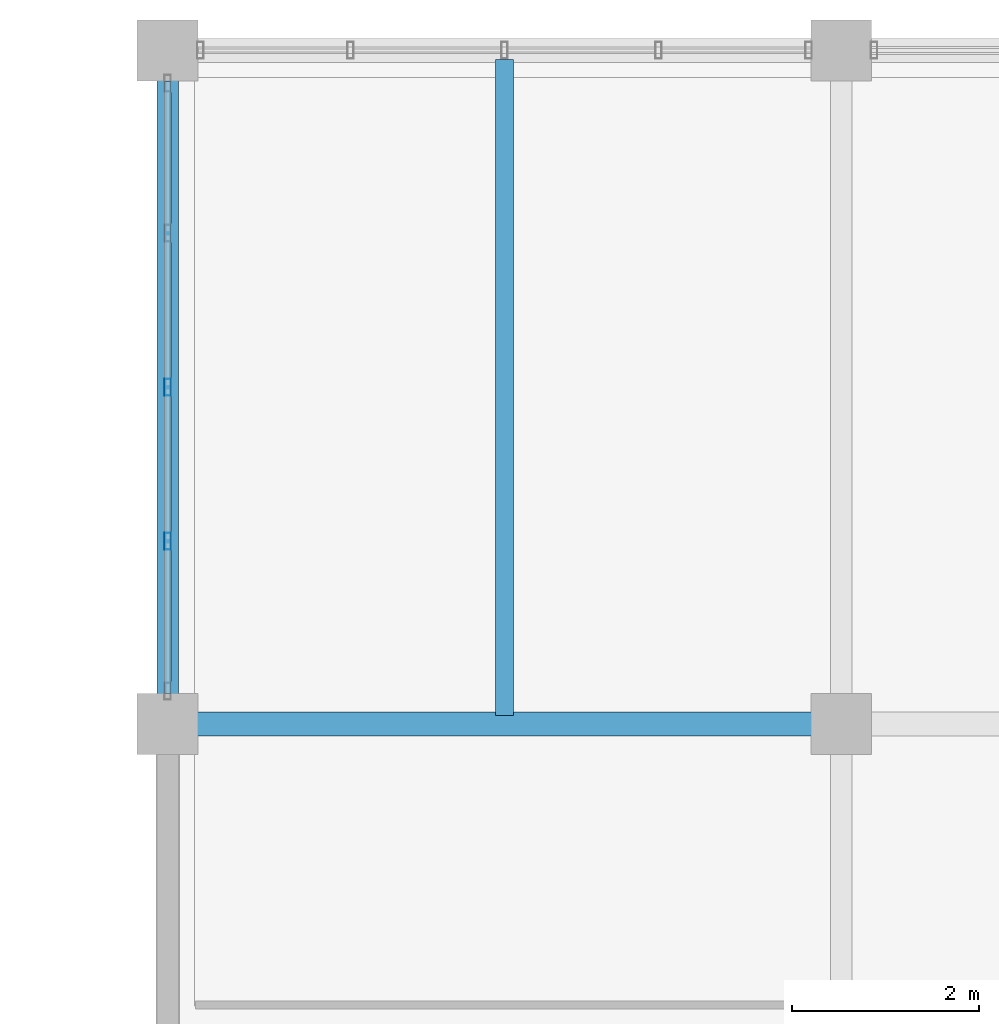
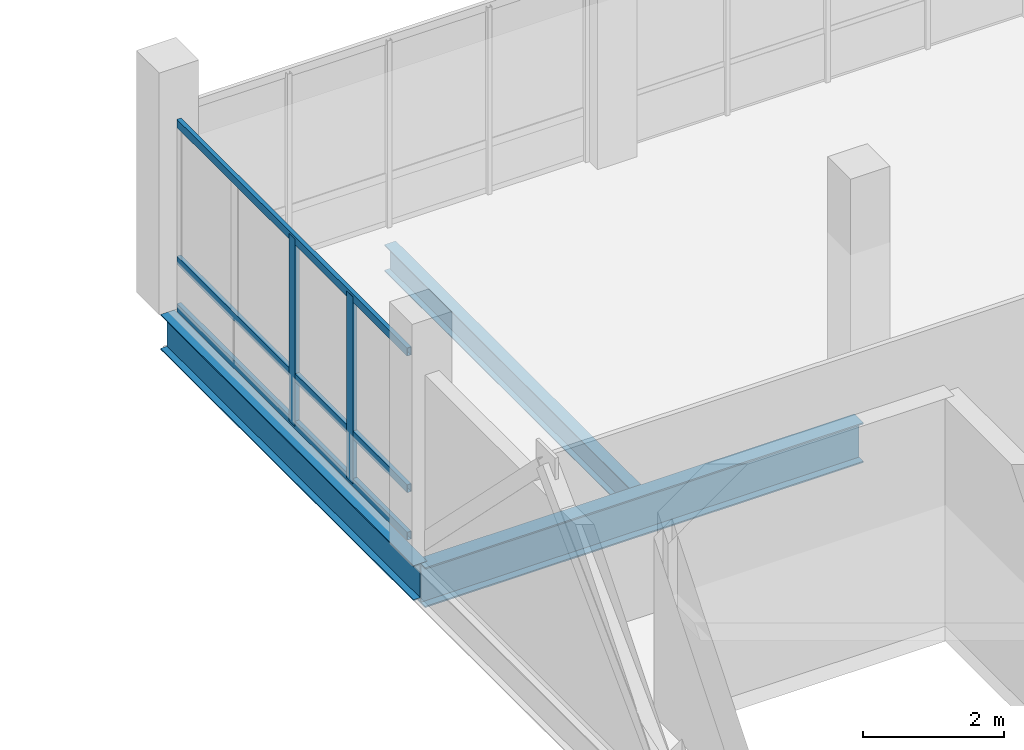
# One storey, part 48 of 144: 5 members, 3 beams, 1 element without a shape of its own.
"""IFC4 building model written with IfcOpenShell, lengths in metres."""

import ifcopenshell
import ifcopenshell.guid

model = None  # the IFC model being written
_history = None  # IfcOwnerHistory: only IFC2X3 demands one
_inside = {}  # id of a spatial element -> (the spatial element, [elements in it])
_under = {}  # id of a project, library or spatial element -> (it, [spatial elements below it])
_declared = {}  # id of a project -> (the project, [libraries it declares])
_typed = {}  # id of a type object -> (the type object, [elements of that type])
_made_of = {}  # id of a material, layer set ... -> (it, [elements and type objects made of it])


def new_model(schema):
    """Start an empty IFC model of exactly this schema.

    Asked for "IFC4X3", IfcOpenShell would pick the latest addendum, in which some entities
    have other attributes; the version numbers below select the first issue.
    IFC2X3 requires an IfcOwnerHistory on every rooted entity: one is made here for all.
    """
    global model, _history
    if schema == "IFC4X3":
        model = ifcopenshell.file(schema_version=(4, 3, 0, 0))
    else:
        model = ifcopenshell.file(schema=schema)
    _inside.clear()
    _under.clear()
    _declared.clear()
    _typed.clear()
    _made_of.clear()
    _history = None
    if model.schema == "IFC2X3":
        org = make("IfcOrganization", Name="unknown")
        user = make(
            "IfcPersonAndOrganization",
            ThePerson=make("IfcPerson", FamilyName="unknown"),
            TheOrganization=org,
        )
        app = make(
            "IfcApplication",
            ApplicationDeveloper=org,
            Version="unknown",
            ApplicationFullName="unknown",
            ApplicationIdentifier="unknown",
        )
        _history = make(
            "IfcOwnerHistory",
            OwningUser=user,
            OwningApplication=app,
            ChangeAction="ADDED",
            CreationDate=0,
        )
    return model


def make(cls, **values):
    """One entity of the class cls with the attributes given. An attribute that is None is left unset."""
    return model.create_entity(
        cls, **{name: value for name, value in values.items() if value is not None}
    )


def rooted(cls, **values):
    """An entity with a GlobalId (a new one), such as an element, a storey or a relation."""
    return make(cls, GlobalId=ifcopenshell.guid.new(), OwnerHistory=_history, **values)


def si_unit(unit_type, name, prefix=None):
    """IfcSIUnit, for example si_unit("LENGTHUNIT", "METRE", prefix="MILLI")."""
    return make("IfcSIUnit", UnitType=unit_type, Prefix=prefix, Name=name)


def assignment(units):
    """IfcUnitAssignment: the units of a project."""
    return None if units is None else make("IfcUnitAssignment", Units=units)


def point(xyz):
    """IfcCartesianPoint."""
    return None if xyz is None else make("IfcCartesianPoint", Coordinates=xyz)


def direction(xyz):
    """IfcDirection."""
    return None if xyz is None else make("IfcDirection", DirectionRatios=xyz)


def frame(location, z_axis=None, x_axis=None):
    """IfcAxis2Placement3D, a coordinate frame: its origin and axes. An axis left out is left unset."""
    return make(
        "IfcAxis2Placement3D",
        Location=point(location),
        Axis=direction(z_axis),
        RefDirection=direction(x_axis),
    )


def frame_2d(location, x_axis=None):
    """IfcAxis2Placement2D, a coordinate frame in the plane: its origin and x axis."""
    return make(
        "IfcAxis2Placement2D", Location=point(location), RefDirection=direction(x_axis)
    )


def origin():
    """The frame at (0, 0, 0) with its axes left unset."""
    return frame((0.0, 0.0, 0.0))


def origin_2d():
    """The frame at (0, 0) in the plane with its x axis left unset."""
    return frame_2d((0.0, 0.0))


def place(relative_to, where):
    """IfcLocalPlacement: puts the frame where relative to a parent placement (None: the world)."""
    return make(
        "IfcLocalPlacement", PlacementRelTo=relative_to, RelativePlacement=where
    )


def context(
    kind, dimensions, precision=None, world=None, true_north=None, identifier=None
):
    """IfcGeometricRepresentationContext, for example the 3D "Model" context."""
    return make(
        "IfcGeometricRepresentationContext",
        ContextIdentifier=identifier,
        ContextType=kind,
        CoordinateSpaceDimension=dimensions,
        Precision=precision,
        WorldCoordinateSystem=world,
        TrueNorth=true_north,
    )


def subcontext(parent, identifier, kind, view, scale=None):
    """IfcGeometricRepresentationSubContext, for example "Body" below "Model"."""
    return make(
        "IfcGeometricRepresentationSubContext",
        ContextIdentifier=identifier,
        ContextType=kind,
        ParentContext=parent,
        TargetScale=scale,
        TargetView=view,
    )


def project(units=None, contexts=None):
    """IfcProject with its units and contexts."""
    return rooted(
        "IfcProject",
        Name="project",
        RepresentationContexts=contexts,
        UnitsInContext=assignment(units),
    )


def spatial(cls, under=None, at=None, **own):
    """A site, building, storey or space (cls), placed at a placement, below another one or the project."""
    s = rooted(cls, ObjectPlacement=at, **own)
    if under is not None:
        _under.setdefault(under.id(), (under, []))[1].append(s)
    return s


def profile(cls, at=None, kind="AREA", **sizes):
    """A parametric profile (cls). Its sizes go by their IFC names, for example OverallWidth=200.0."""
    return make(cls, ProfileType=kind, Position=at, **sizes)


def hollow_rectangle(**sizes):
    """IfcRectangleHollowProfileDef."""
    return profile("IfcRectangleHollowProfileDef", **sizes)


def i_section(**sizes):
    """IfcIShapeProfileDef."""
    return profile("IfcIShapeProfileDef", **sizes)


def extrude(swept, where, along, depth):
    """IfcExtrudedAreaSolid: the profile swept, set in the frame where, extruded along a direction by depth."""
    return make(
        "IfcExtrudedAreaSolid",
        SweptArea=swept,
        Position=where,
        ExtrudedDirection=direction(along),
        Depth=depth,
    )


def shape(context_of_items, identifier, shape_type, items):
    """IfcShapeRepresentation: the items that make up one representation, for example the "Body"."""
    return make(
        "IfcShapeRepresentation",
        ContextOfItems=context_of_items,
        RepresentationIdentifier=identifier,
        RepresentationType=shape_type,
        Items=items,
    )


def material(Name=None, Category=None):
    """IfcMaterial."""
    return make("IfcMaterial", Name=Name, Category=Category)


def material_profile(
    of_material, cross_section, Name=None, Category=None, Priority=None
):
    """IfcMaterialProfile: a cross section and its material."""
    return make(
        "IfcMaterialProfile",
        Name=Name,
        Material=of_material,
        Profile=cross_section,
        Priority=Priority,
        Category=Category,
    )


def profile_set(profiles, Name=None, composite=None):
    """IfcMaterialProfileSet."""
    return make(
        "IfcMaterialProfileSet",
        Name=Name,
        MaterialProfiles=profiles,
        CompositeProfile=composite,
    )


def made_of(thing, what):
    """Note that an element or type object is made of a material, layer set ...; save() writes the relation."""
    if what is not None:
        _made_of.setdefault(what.id(), (what, []))[1].append(thing)
    return thing


def type_object(cls, material=None, **own):
    """A type object (cls), such as IfcWallType, which elements share."""
    return made_of(rooted(cls, **own), material)


def element(
    cls,
    number,
    at=None,
    inside=None,
    cuts=None,
    type_object=None,
    material=None,
    context=None,
    identifier="Body",
    shape_type=None,
    held_by="IfcProductDefinitionShape",
    body=None,
    shapes=None,
    **own,
):
    """One element of the class cls, such as IfcWall. Its Tag is "e" and its number.

    at: its placement. inside: the storey or other place that contains it. cuts: it is an
    opening in that element (IfcRelVoidsElement). A single representation is given by context,
    identifier, shape_type and body (its items); several are given by shapes. held_by: the class
    of the entity that holds the representations. save() writes the other relations.
    """
    e = rooted(cls, Tag="e%d" % number, ObjectPlacement=at, **own)
    if body is not None:
        shapes = [shape(context, identifier, shape_type, body)]
    if shapes is not None:
        e.Representation = make(held_by, Representations=shapes)
    if inside is not None:
        _inside.setdefault(inside.id(), (inside, []))[1].append(e)
    if cuts is not None:
        rooted(
            "IfcRelVoidsElement", RelatingBuildingElement=cuts, RelatedOpeningElement=e
        )
    if type_object is not None:
        _typed.setdefault(type_object.id(), (type_object, []))[1].append(e)
    return made_of(e, material)


def aggregate(whole, parts):
    """IfcRelAggregates: a whole, such as a stair, and the parts it consists of."""
    return rooted("IfcRelAggregates", RelatingObject=whole, RelatedObjects=parts)


def save(model, path):
    """Write the relations noted so far, then the file.

    IfcRelAggregates (storeys below a building ...), IfcRelContainedInSpatialStructure (elements
    in a storey), IfcRelDefinesByType, IfcRelAssociatesMaterial and IfcRelDeclares: one each for
    every whole, place, type object, material and project.
    """
    for whole, parts in _under.values():
        aggregate(whole, parts)
    for where, things in _inside.values():
        rooted(
            "IfcRelContainedInSpatialStructure",
            RelatedElements=things,
            RelatingStructure=where,
        )
    for kind, things in _typed.values():
        rooted("IfcRelDefinesByType", RelatedObjects=things, RelatingType=kind)
    for what, things in _made_of.values():
        rooted("IfcRelAssociatesMaterial", RelatedObjects=things, RelatingMaterial=what)
    for by, libraries in _declared.values():
        rooted("IfcRelDeclares", RelatingContext=by, RelatedDefinitions=libraries)
    model.write(path)


model = new_model("IFC4")

# Units and contexts
model_context = context("Model", 3, precision=1e-05, world=origin(), true_north=direction((0.0, 1.0)))
body_context = subcontext(model_context, "Body", "Model", "MODEL_VIEW")
ifc_project = project(units=[si_unit("LENGTHUNIT", "METRE"), si_unit("AREAUNIT", "SQUARE_METRE"), si_unit("VOLUMEUNIT", "CUBIC_METRE"), si_unit("PLANEANGLEUNIT", "RADIAN"), si_unit("MASSUNIT", "GRAM", prefix="KILO")], contexts=[model_context])

# Site, building, storey
site_placement = place(None, origin())
site = spatial("IfcSite", under=ifc_project, at=site_placement, CompositionType="ELEMENT")
building_placement = place(site_placement, origin())
building = spatial("IfcBuilding", under=site, at=building_placement, Name="Yarey Park Central Fire Station", CompositionType="ELEMENT")
storey_placement = place(building_placement, frame((0.0, 0.0, 10.199951171875)))
storey = spatial("IfcBuildingStorey", under=building, at=storey_placement, Name="L03", CompositionType="ELEMENT", Elevation=10.199951171875)

# Curtain wall, members
ifc_material_1 = material(Name="Anodized Aluminium Frame", Category="aluminium")
curtain_wall_type = type_object("IfcCurtainWallType", Name="ENV_CW_HQ_L03", PredefinedType="NOTDEFINED", material=ifc_material_1)
curtain_wall_placement = place(storey_placement, origin())
curtain_wall = element("IfcCurtainWall", 1, at=curtain_wall_placement, inside=storey, type_object=curtain_wall_type, Name="CW_L03_V4_W_108", PredefinedType="NOTDEFINED")
ifc_material_profile_1 = material_profile(ifc_material_1, hollow_rectangle(XDim=0.070068359375, YDim=0.179931640625, WallThickness=0.00390625, at=origin_2d()), Name="ALU 180x70x4")
ifc_profile_set_1 = profile_set([ifc_material_profile_1], Name="Anodized Aluminium Frame")
member_type_1 = type_object("IfcMemberType", Name="ENV_CW_MULLION", PredefinedType="MULLION", material=ifc_profile_set_1)
member_1_placement = place(storey_placement, frame((115.199951171875, 111.60009765625, 0.0), z_axis=(0.0, 0.0, 1.0), x_axis=(1.0, 0.0, 0.0)))
member_1 = element("IfcMember", 2, at=member_1_placement, type_object=member_type_1, Name="CW_L03_V4_W_108_MUL3", PredefinedType="MULLION", context=body_context, shape_type="SweptSolid", body=[
    extrude(hollow_rectangle(XDim=0.070068359375, YDim=0.179931640625, WallThickness=0.00390625, at=origin_2d()), origin(), (0.0, 0.0, 1.0), 3.25),
])
member_2_placement = place(storey_placement, frame((115.199951171875, 109.955078125, 0.0), z_axis=(0.0, 0.0, 1.0), x_axis=(1.0, 0.0, 0.0)))
member_2 = element("IfcMember", 3, at=member_2_placement, type_object=member_type_1, Name="CW_L03_V4_W_108_MUL4", PredefinedType="MULLION", context=body_context, shape_type="SweptSolid", body=[
    extrude(hollow_rectangle(XDim=0.070068359375, YDim=0.179931640625, WallThickness=0.00390625, at=origin_2d()), origin(), (0.0, 0.0, 1.0), 3.25),
])
ifc_material_profile_2 = material_profile(ifc_material_1, hollow_rectangle(XDim=0.070068359375, YDim=0.139892578125, WallThickness=0.00390625, at=origin_2d()), Name="ALU 140x70x4")
ifc_profile_set_2 = profile_set([ifc_material_profile_2], Name="Anodized Aluminium Frame")
member_type_2 = type_object("IfcMemberType", Name="ENV_CW_TRANSOM", PredefinedType="USERDEFINED", material=ifc_profile_set_2)
member_3_placement = place(storey_placement, frame((115.199951171875, 114.875, 0.025146484375), z_axis=(0.0, -1.0, 0.0), x_axis=(1.0, 0.0, 0.0)))
member_3 = element("IfcMember", 4, at=member_3_placement, type_object=member_type_2, Name="CW_L03_V4_W_108_TRN1", ObjectType="TRANSOM", PredefinedType="USERDEFINED", context=body_context, shape_type="SweptSolid", body=[
    extrude(hollow_rectangle(XDim=0.070068359375, YDim=0.139892578125, WallThickness=0.00390625, at=origin_2d()), origin(), (0.0, 0.0, 1.0), 6.550048828125),
])
member_4_placement = place(storey_placement, frame((115.199951171875, 114.875, 0.85009765625), z_axis=(0.0, -1.0, 0.0), x_axis=(1.0, 0.0, 0.0)))
member_4 = element("IfcMember", 5, at=member_4_placement, type_object=member_type_2, Name="CW_L03_V4_W_108_TRN2", ObjectType="TRANSOM", PredefinedType="USERDEFINED", context=body_context, shape_type="SweptSolid", body=[
    extrude(hollow_rectangle(XDim=0.070068359375, YDim=0.139892578125, WallThickness=0.00390625, at=origin_2d()), origin(), (0.0, 0.0, 1.0), 6.550048828125),
])
member_5_placement = place(storey_placement, frame((115.199951171875, 114.875, 3.22509765625), z_axis=(0.0, -1.0, 0.0), x_axis=(1.0, 0.0, 0.0)))
member_5 = element("IfcMember", 6, at=member_5_placement, type_object=member_type_2, Name="CW_L03_V4_W_108_TRN3", ObjectType="TRANSOM", PredefinedType="USERDEFINED", context=body_context, shape_type="SweptSolid", body=[
    extrude(hollow_rectangle(XDim=0.070068359375, YDim=0.139892578125, WallThickness=0.00390625, at=origin_2d()), origin(), (0.0, 0.0, 1.0), 6.550048828125),
])
aggregate(curtain_wall, [member_1, member_2, member_3, member_4, member_5])

# Beams
ifc_material_2 = material(Name="Steel ASTM A992 Gr. 50", Category="steel")
ifc_material_profile_3 = material_profile(ifc_material_2, i_section(OverallWidth=0.22900390625, OverallDepth=0.612060546875, WebThickness=0.011962890625, FlangeThickness=0.01953125, at=origin_2d()), Name="W610x125")
ifc_profile_set_3 = profile_set([ifc_material_profile_3], Name="Steel ASTM A992 Gr. 50")
beam_type_1 = type_object("IfcBeamType", Name="STR_BM_W610", PredefinedType="BEAM", material=ifc_profile_set_3)
beam_1_placement = place(storey_placement, frame((115.199951171875, 108.0, -0.56591796875), z_axis=(0.0, 1.0, 0.0), x_axis=(-1.0, 0.0, 0.0)))
element("IfcBeam", 7, at=beam_1_placement, inside=storey, type_object=beam_type_1, Name="BMY L03 X1152 Y1080", PredefinedType="BEAM", context=body_context, shape_type="SweptSolid", body=[
    extrude(i_section(OverallWidth=0.22900390625, OverallDepth=0.612060546875, WebThickness=0.011962890625, FlangeThickness=0.01953125, at=origin_2d()), origin(), (0.0, 0.0, 1.0), 7.199951171875),
])
ifc_material_profile_4 = material_profile(ifc_material_2, i_section(OverallWidth=0.256103515625, OverallDepth=0.693115234375, WebThickness=0.014404296875, FlangeThickness=0.023681640625, at=origin_2d()), Name="W690x170")
ifc_profile_set_4 = profile_set([ifc_material_profile_4], Name="Steel ASTM A992 Gr. 50")
beam_type_2 = type_object("IfcBeamType", Name="STR_BM_W690", PredefinedType="BEAM", material=ifc_profile_set_4)
beam_2_placement = place(storey_placement, frame((115.199951171875, 108.0, -0.6064453125), z_axis=(1.0, 0.0, 0.0), x_axis=(0.0, 1.0, 0.0)))
element("IfcBeam", 8, at=beam_2_placement, inside=storey, type_object=beam_type_2, Name="BMX L03 Y1080 X1152", PredefinedType="BEAM", context=body_context, shape_type="SweptSolid", body=[
    extrude(i_section(OverallWidth=0.256103515625, OverallDepth=0.693115234375, WebThickness=0.014404296875, FlangeThickness=0.023681640625, at=origin_2d()), origin(), (0.0, 0.0, 1.0), 7.199951171875),
])
ifc_material_profile_5 = material_profile(ifc_material_2, i_section(OverallWidth=0.18994140625, OverallDepth=0.45703125, WebThickness=0.009033203125, FlangeThickness=0.014404296875, at=origin_2d()), Name="W460x74")
ifc_profile_set_5 = profile_set([ifc_material_profile_5], Name="Steel ASTM A992 Gr. 50")
beam_type_3 = type_object("IfcBeamType", Name="STR_JST_W460", PredefinedType="JOIST", material=ifc_profile_set_5)
beam_3_placement = place(storey_placement, frame((118.800048828125, 108.094970703125, -0.488525390625), z_axis=(0.0, 1.0, 0.0), x_axis=(-1.0, 0.0, 0.0)))
element("IfcBeam", 9, at=beam_3_placement, inside=storey, type_object=beam_type_3, Name="JST L03 X1188 Y1080", PredefinedType="JOIST", context=body_context, shape_type="SweptSolid", body=[
    extrude(i_section(OverallWidth=0.18994140625, OverallDepth=0.45703125, WebThickness=0.009033203125, FlangeThickness=0.014404296875, at=origin_2d()), origin(), (0.0, 0.0, 1.0), 7.010009765625),
])

save(model, "model.ifc")
